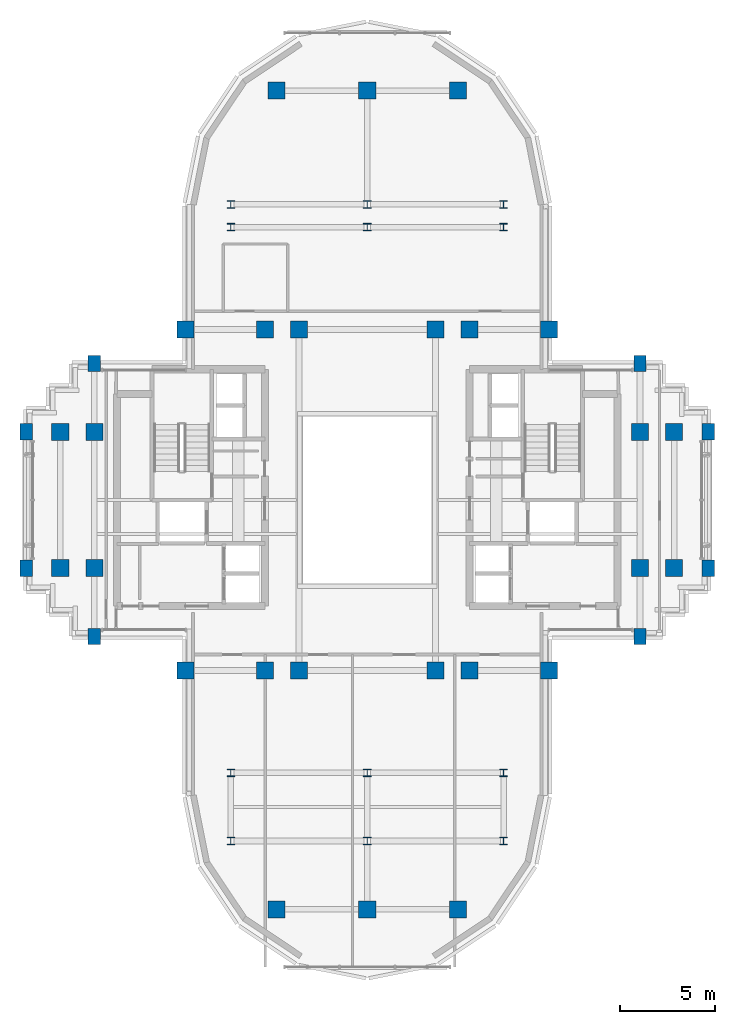
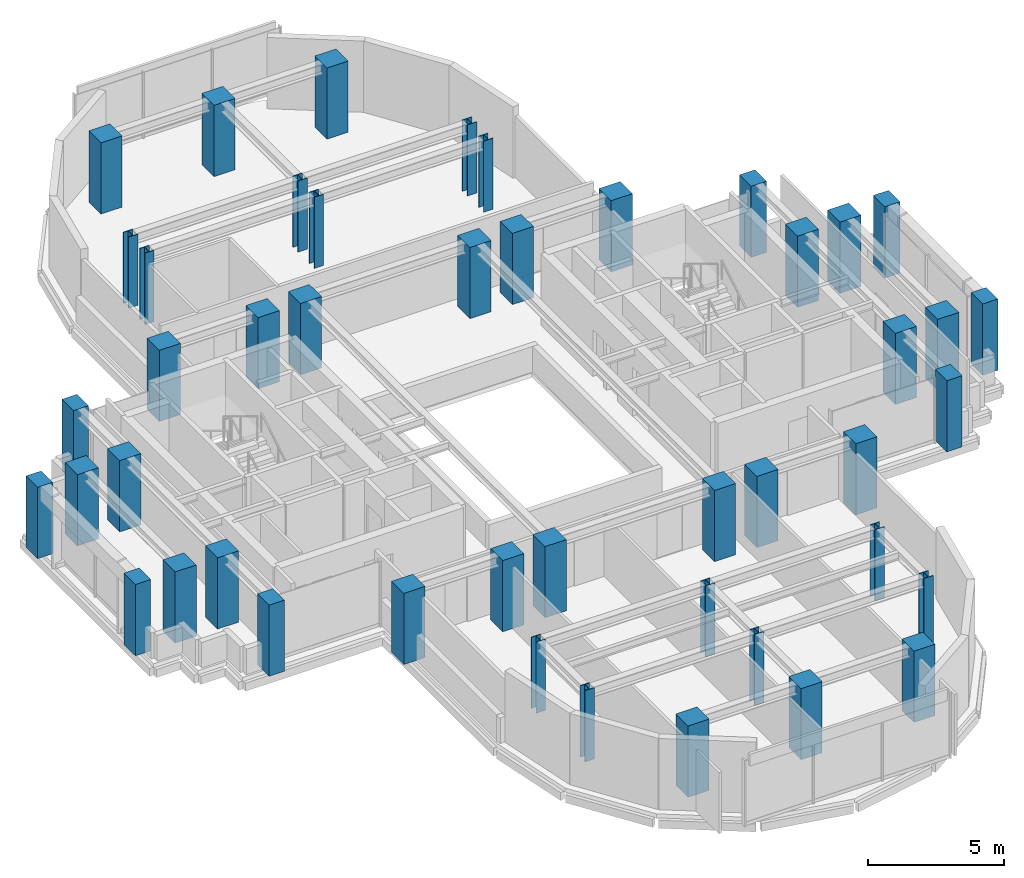
# One storey, part 1 of 11: 46 columns.
"""IFC4 building model written with IfcOpenShell, lengths in metres."""

import ifcopenshell
import ifcopenshell.guid

model = None  # the IFC model being written
_history = None  # IfcOwnerHistory: only IFC2X3 demands one
_inside = {}  # id of a spatial element -> (the spatial element, [elements in it])
_under = {}  # id of a project, library or spatial element -> (it, [spatial elements below it])
_declared = {}  # id of a project -> (the project, [libraries it declares])
_typed = {}  # id of a type object -> (the type object, [elements of that type])
_made_of = {}  # id of a material, layer set ... -> (it, [elements and type objects made of it])


def new_model(schema):
    """Start an empty IFC model of exactly this schema.

    Asked for "IFC4X3", IfcOpenShell would pick the latest addendum, in which some entities
    have other attributes; the version numbers below select the first issue.
    IFC2X3 requires an IfcOwnerHistory on every rooted entity: one is made here for all.
    """
    global model, _history
    if schema == "IFC4X3":
        model = ifcopenshell.file(schema_version=(4, 3, 0, 0))
    else:
        model = ifcopenshell.file(schema=schema)
    _inside.clear()
    _under.clear()
    _declared.clear()
    _typed.clear()
    _made_of.clear()
    _history = None
    if model.schema == "IFC2X3":
        org = make("IfcOrganization", Name="unknown")
        user = make(
            "IfcPersonAndOrganization",
            ThePerson=make("IfcPerson", FamilyName="unknown"),
            TheOrganization=org,
        )
        app = make(
            "IfcApplication",
            ApplicationDeveloper=org,
            Version="unknown",
            ApplicationFullName="unknown",
            ApplicationIdentifier="unknown",
        )
        _history = make(
            "IfcOwnerHistory",
            OwningUser=user,
            OwningApplication=app,
            ChangeAction="ADDED",
            CreationDate=0,
        )
    return model


def make(cls, **values):
    """One entity of the class cls with the attributes given. An attribute that is None is left unset."""
    return model.create_entity(
        cls, **{name: value for name, value in values.items() if value is not None}
    )


def rooted(cls, **values):
    """An entity with a GlobalId (a new one), such as an element, a storey or a relation."""
    return make(cls, GlobalId=ifcopenshell.guid.new(), OwnerHistory=_history, **values)


def si_unit(unit_type, name, prefix=None):
    """IfcSIUnit, for example si_unit("LENGTHUNIT", "METRE", prefix="MILLI")."""
    return make("IfcSIUnit", UnitType=unit_type, Prefix=prefix, Name=name)


def assignment(units):
    """IfcUnitAssignment: the units of a project."""
    return None if units is None else make("IfcUnitAssignment", Units=units)


def point(xyz):
    """IfcCartesianPoint."""
    return None if xyz is None else make("IfcCartesianPoint", Coordinates=xyz)


def direction(xyz):
    """IfcDirection."""
    return None if xyz is None else make("IfcDirection", DirectionRatios=xyz)


def frame(location, z_axis=None, x_axis=None):
    """IfcAxis2Placement3D, a coordinate frame: its origin and axes. An axis left out is left unset."""
    return make(
        "IfcAxis2Placement3D",
        Location=point(location),
        Axis=direction(z_axis),
        RefDirection=direction(x_axis),
    )


def frame_2d(location, x_axis=None):
    """IfcAxis2Placement2D, a coordinate frame in the plane: its origin and x axis."""
    return make(
        "IfcAxis2Placement2D", Location=point(location), RefDirection=direction(x_axis)
    )


def origin():
    """The frame at (0, 0, 0) with its axes left unset."""
    return frame((0.0, 0.0, 0.0))


def origin_2d():
    """The frame at (0, 0) in the plane with its x axis left unset."""
    return frame_2d((0.0, 0.0))


def place(relative_to, where):
    """IfcLocalPlacement: puts the frame where relative to a parent placement (None: the world)."""
    return make(
        "IfcLocalPlacement", PlacementRelTo=relative_to, RelativePlacement=where
    )


def context(
    kind, dimensions, precision=None, world=None, true_north=None, identifier=None
):
    """IfcGeometricRepresentationContext, for example the 3D "Model" context."""
    return make(
        "IfcGeometricRepresentationContext",
        ContextIdentifier=identifier,
        ContextType=kind,
        CoordinateSpaceDimension=dimensions,
        Precision=precision,
        WorldCoordinateSystem=world,
        TrueNorth=true_north,
    )


def subcontext(parent, identifier, kind, view, scale=None):
    """IfcGeometricRepresentationSubContext, for example "Body" below "Model"."""
    return make(
        "IfcGeometricRepresentationSubContext",
        ContextIdentifier=identifier,
        ContextType=kind,
        ParentContext=parent,
        TargetScale=scale,
        TargetView=view,
    )


def project(units=None, contexts=None):
    """IfcProject with its units and contexts."""
    return rooted(
        "IfcProject",
        Name="project",
        RepresentationContexts=contexts,
        UnitsInContext=assignment(units),
    )


def spatial(cls, under=None, at=None, **own):
    """A site, building, storey or space (cls), placed at a placement, below another one or the project."""
    s = rooted(cls, ObjectPlacement=at, **own)
    if under is not None:
        _under.setdefault(under.id(), (under, []))[1].append(s)
    return s


def profile(cls, at=None, kind="AREA", **sizes):
    """A parametric profile (cls). Its sizes go by their IFC names, for example OverallWidth=200.0."""
    return make(cls, ProfileType=kind, Position=at, **sizes)


def rectangle(**sizes):
    """IfcRectangleProfileDef."""
    return profile("IfcRectangleProfileDef", **sizes)


def i_section(**sizes):
    """IfcIShapeProfileDef."""
    return profile("IfcIShapeProfileDef", **sizes)


def extrude(swept, where, along, depth):
    """IfcExtrudedAreaSolid: the profile swept, set in the frame where, extruded along a direction by depth."""
    return make(
        "IfcExtrudedAreaSolid",
        SweptArea=swept,
        Position=where,
        ExtrudedDirection=direction(along),
        Depth=depth,
    )


def shape(context_of_items, identifier, shape_type, items):
    """IfcShapeRepresentation: the items that make up one representation, for example the "Body"."""
    return make(
        "IfcShapeRepresentation",
        ContextOfItems=context_of_items,
        RepresentationIdentifier=identifier,
        RepresentationType=shape_type,
        Items=items,
    )


def source(mapping_origin, context_of_items, identifier, shape_type, items):
    """IfcRepresentationMap: a shape defined once, which mapped items show again and again."""
    return make(
        "IfcRepresentationMap",
        MappingOrigin=mapping_origin,
        MappedRepresentation=shape(context_of_items, identifier, shape_type, items),
    )


def transform(
    local_origin,
    x_axis=None,
    y_axis=None,
    z_axis=None,
    scale=None,
    scale2=None,
    scale3=None,
    uniform=True,
):
    """IfcCartesianTransformationOperator3D, or its non-uniform kind. x_axis, y_axis, z_axis: its Axis1, 2, 3."""
    if uniform:
        return make(
            "IfcCartesianTransformationOperator3D",
            Axis1=direction(x_axis),
            Axis2=direction(y_axis),
            LocalOrigin=point(local_origin),
            Scale=scale,
            Axis3=direction(z_axis),
        )
    return make(
        "IfcCartesianTransformationOperator3DnonUniform",
        Axis1=direction(x_axis),
        Axis2=direction(y_axis),
        LocalOrigin=point(local_origin),
        Scale=scale,
        Axis3=direction(z_axis),
        Scale2=scale2,
        Scale3=scale3,
    )


def mapped(mapping_source, mapping_target):
    """IfcMappedItem: shows the shape of a source again, moved by a transform."""
    return make(
        "IfcMappedItem", MappingSource=mapping_source, MappingTarget=mapping_target
    )


def material(Name=None, Category=None):
    """IfcMaterial."""
    return make("IfcMaterial", Name=Name, Category=Category)


def material_profile(
    of_material, cross_section, Name=None, Category=None, Priority=None
):
    """IfcMaterialProfile: a cross section and its material."""
    return make(
        "IfcMaterialProfile",
        Name=Name,
        Material=of_material,
        Profile=cross_section,
        Priority=Priority,
        Category=Category,
    )


def profile_set(profiles, Name=None, composite=None):
    """IfcMaterialProfileSet."""
    return make(
        "IfcMaterialProfileSet",
        Name=Name,
        MaterialProfiles=profiles,
        CompositeProfile=composite,
    )


def made_of(thing, what):
    """Note that an element or type object is made of a material, layer set ...; save() writes the relation."""
    if what is not None:
        _made_of.setdefault(what.id(), (what, []))[1].append(thing)
    return thing


def type_object(cls, material=None, **own):
    """A type object (cls), such as IfcWallType, which elements share."""
    return made_of(rooted(cls, **own), material)


def element(
    cls,
    number,
    at=None,
    inside=None,
    cuts=None,
    type_object=None,
    material=None,
    context=None,
    identifier="Body",
    shape_type=None,
    held_by="IfcProductDefinitionShape",
    body=None,
    shapes=None,
    **own,
):
    """One element of the class cls, such as IfcWall. Its Tag is "e" and its number.

    at: its placement. inside: the storey or other place that contains it. cuts: it is an
    opening in that element (IfcRelVoidsElement). A single representation is given by context,
    identifier, shape_type and body (its items); several are given by shapes. held_by: the class
    of the entity that holds the representations. save() writes the other relations.
    """
    e = rooted(cls, Tag="e%d" % number, ObjectPlacement=at, **own)
    if body is not None:
        shapes = [shape(context, identifier, shape_type, body)]
    if shapes is not None:
        e.Representation = make(held_by, Representations=shapes)
    if inside is not None:
        _inside.setdefault(inside.id(), (inside, []))[1].append(e)
    if cuts is not None:
        rooted(
            "IfcRelVoidsElement", RelatingBuildingElement=cuts, RelatedOpeningElement=e
        )
    if type_object is not None:
        _typed.setdefault(type_object.id(), (type_object, []))[1].append(e)
    return made_of(e, material)


def aggregate(whole, parts):
    """IfcRelAggregates: a whole, such as a stair, and the parts it consists of."""
    return rooted("IfcRelAggregates", RelatingObject=whole, RelatedObjects=parts)


def save(model, path):
    """Write the relations noted so far, then the file.

    IfcRelAggregates (storeys below a building ...), IfcRelContainedInSpatialStructure (elements
    in a storey), IfcRelDefinesByType, IfcRelAssociatesMaterial and IfcRelDeclares: one each for
    every whole, place, type object, material and project.
    """
    for whole, parts in _under.values():
        aggregate(whole, parts)
    for where, things in _inside.values():
        rooted(
            "IfcRelContainedInSpatialStructure",
            RelatedElements=things,
            RelatingStructure=where,
        )
    for kind, things in _typed.values():
        rooted("IfcRelDefinesByType", RelatedObjects=things, RelatingType=kind)
    for what, things in _made_of.values():
        rooted("IfcRelAssociatesMaterial", RelatedObjects=things, RelatingMaterial=what)
    for by, libraries in _declared.values():
        rooted("IfcRelDeclares", RelatingContext=by, RelatedDefinitions=libraries)
    model.write(path)


model = new_model("IFC4")

# Units and contexts
model_context = context("Model", 3, precision=1e-05, world=origin(), true_north=direction((0.0, 1.0)))
body_context = subcontext(model_context, "Body", "Model", "MODEL_VIEW")
ifc_project = project(units=[si_unit("LENGTHUNIT", "METRE"), si_unit("AREAUNIT", "SQUARE_METRE"), si_unit("VOLUMEUNIT", "CUBIC_METRE"), si_unit("PLANEANGLEUNIT", "RADIAN"), si_unit("MASSUNIT", "GRAM", prefix="KILO")], contexts=[model_context])

# Site, building, storey
site_placement = place(None, origin())
site = spatial("IfcSite", under=ifc_project, at=site_placement, CompositionType="ELEMENT")
building_placement = place(site_placement, origin())
building = spatial("IfcBuilding", under=site, at=building_placement, Name="Keilestroom Media Tower", CompositionType="ELEMENT")
storey_placement = place(building_placement, frame((0.0, 0.0, 163.800048828125)))
storey = spatial("IfcBuildingStorey", under=building, at=storey_placement, Name="L44", CompositionType="ELEMENT", Elevation=163.800048828125)

# Columns
ifc_material_1 = material(Name="Precast concrete C40/50", Category="concrete")
ifc_material_profile_1 = material_profile(ifc_material_1, rectangle(XDim=0.64990234375, YDim=0.85009765625, at=origin_2d()), Name="PC 850x650")
ifc_profile_set_1 = profile_set([ifc_material_profile_1], Name="Precast concrete C40/50")
column_type_1 = type_object("IfcColumnType", Name="Structural-Column-PC-850x650", PredefinedType="COLUMN", material=ifc_profile_set_1)
shared_shape_1 = source(origin(), body_context, "Body", "SweptSolid", [
    extrude(rectangle(XDim=0.64990234375, YDim=0.85009765625, at=origin_2d()), origin(), (0.0, 0.0, 1.0), 3.199951171875),
])
for number, where, z_axis, x_axis, name in (
    (1, (-18.0, -3.60009765625, 0.0), (0.0, 0.0, 1.0), (1.0, 0.0, 0.0), "L44 Column PC-2 (-18.0,-3.6)"),
    (2, (-18.0, 3.60009765625, 0.0), (0.0, 0.0, 1.0), (1.0, 0.0, 0.0), "L44 Column PC-2 (-18.0,+3.6)"),
    (3, (-14.39990234375, -7.199951171875, 0.0), (0.0, 0.0, 1.0), (1.0, 0.0, 0.0), "L44 Column PC-2 (-14.4,-7.2)"),
    (4, (-14.39990234375, 7.199951171875, 0.0), (0.0, 0.0, 1.0), (1.0, 0.0, 0.0), "L44 Column PC-2 (-14.4,+7.2)"),
    (5, (14.39990234375, -7.199951171875, 0.0), (0.0, 0.0, 1.0), (1.0, 0.0, 0.0), "L44 Column PC-2 (+14.4,-7.2)"),
    (6, (14.39990234375, 7.199951171875, 0.0), (0.0, 0.0, 1.0), (1.0, 0.0, 0.0), "L44 Column PC-2 (+14.4,+7.2)"),
    (7, (18.0, -3.60009765625, 0.0), (0.0, 0.0, 1.0), (1.0, 0.0, 0.0), "L44 Column PC-2 (+18.0,-3.6)"),
    (8, (18.0, 3.60009765625, 0.0), (0.0, 0.0, 1.0), (1.0, 0.0, 0.0), "L44 Column PC-2 (+18.0,+3.6)"),
):
    element("IfcColumn", number, at=place(storey_placement, frame(where, z_axis=z_axis, x_axis=x_axis)), inside=storey, type_object=column_type_1, Name=name, PredefinedType="COLUMN", context=body_context, shape_type="MappedRepresentation", body=[
        mapped(shared_shape_1, transform((0.0, 0.0, 0.0), x_axis=(1.0, 0.0, 0.0), y_axis=(0.0, 1.0, 0.0), z_axis=(0.0, 0.0, 1.0), scale=1.0)),
    ])
ifc_material_2 = material(Name="Concrete C55/67", Category="concrete")
ifc_material_profile_2 = material_profile(ifc_material_2, rectangle(XDim=0.89990234375, YDim=0.89990234375, at=origin_2d()), Name="RC 900x900")
ifc_profile_set_2 = profile_set([ifc_material_profile_2], Name="Concrete C55/67")
column_type_2 = type_object("IfcColumnType", Name="Structural-Column-RC-900x900", PredefinedType="COLUMN", material=ifc_profile_set_2)
shared_shape_2 = source(origin(), body_context, "Body", "SweptSolid", [
    extrude(rectangle(XDim=0.89990234375, YDim=0.89990234375, at=origin_2d()), origin(), (0.0, 0.0, 1.0), 3.199951171875),
])
for number, where, z_axis, x_axis, name in (
    (9, (-16.199951171875, -3.60009765625, 0.0), (0.0, 0.0, 1.0), (1.0, 0.0, 0.0), "L44 Column MC-4 (-16.2,-3.6)"),
    (10, (-16.199951171875, 3.60009765625, 0.0), (0.0, 0.0, 1.0), (1.0, 0.0, 0.0), "L44 Column MC-4 (-16.2,+3.6)"),
    (11, (-14.39990234375, -3.60009765625, 0.0), (0.0, 0.0, 1.0), (1.0, 0.0, 0.0), "L44 Column MC-4 (-14.4,-3.6)"),
    (12, (-14.39990234375, 3.60009765625, 0.0), (0.0, 0.0, 1.0), (1.0, 0.0, 0.0), "L44 Column MC-4 (-14.4,+3.6)"),
    (13, (-9.60009765625, -9.0, 0.0), (0.0, 0.0, 1.0), (1.0, 0.0, 0.0), "L44 Column MC-4 (-9.6,-9.0)"),
    (14, (-9.60009765625, 9.0, 0.0), (0.0, 0.0, 1.0), (1.0, 0.0, 0.0), "L44 Column MC-4 (-9.6,+9.0)"),
    (15, (-5.39990234375, -9.0, 0.0), (0.0, 0.0, 1.0), (1.0, 0.0, 0.0), "L44 Column MC-4 (-5.4,-9.0)"),
    (16, (-5.39990234375, 9.0, 0.0), (0.0, 0.0, 1.0), (1.0, 0.0, 0.0), "L44 Column MC-4 (-5.4,+9.0)"),
    (17, (-4.800048828125, -21.60009765625, 0.0), (0.0, 0.0, 1.0), (1.0, 0.0, 0.0), "L44 Column MC-4 (-4.8,-21.6)"),
    (18, (-4.800048828125, 21.60009765625, 0.0), (0.0, 0.0, 1.0), (1.0, 0.0, 0.0), "L44 Column MC-4 (-4.8,+21.6)"),
    (19, (-3.60009765625, -9.0, 0.0), (0.0, 0.0, 1.0), (1.0, 0.0, 0.0), "L44 Column MC-4 (-3.6,-9.0)"),
    (20, (-3.60009765625, 9.0, 0.0), (0.0, 0.0, 1.0), (1.0, 0.0, 0.0), "L44 Column MC-4 (-3.6,+9.0)"),
    (21, (0.0, -21.60009765625, 0.0), (0.0, 0.0, 1.0), (1.0, 0.0, 0.0), "L44 Column MC-4 (+0.0,-21.6)"),
    (22, (0.0, 21.60009765625, 0.0), (0.0, 0.0, 1.0), (1.0, 0.0, 0.0), "L44 Column MC-4 (+0.0,+21.6)"),
    (23, (3.60009765625, -9.0, 0.0), (0.0, 0.0, 1.0), (1.0, 0.0, 0.0), "L44 Column MC-4 (+3.6,-9.0)"),
    (24, (3.60009765625, 9.0, 0.0), (0.0, 0.0, 1.0), (1.0, 0.0, 0.0), "L44 Column MC-4 (+3.6,+9.0)"),
    (25, (4.800048828125, -21.60009765625, 0.0), (0.0, 0.0, 1.0), (1.0, 0.0, 0.0), "L44 Column MC-4 (+4.8,-21.6)"),
    (26, (4.800048828125, 21.60009765625, 0.0), (0.0, 0.0, 1.0), (1.0, 0.0, 0.0), "L44 Column MC-4 (+4.8,+21.6)"),
    (27, (5.39990234375, -9.0, 0.0), (0.0, 0.0, 1.0), (1.0, 0.0, 0.0), "L44 Column MC-4 (+5.4,-9.0)"),
    (28, (5.39990234375, 9.0, 0.0), (0.0, 0.0, 1.0), (1.0, 0.0, 0.0), "L44 Column MC-4 (+5.4,+9.0)"),
    (29, (9.60009765625, -9.0, 0.0), (0.0, 0.0, 1.0), (1.0, 0.0, 0.0), "L44 Column MC-4 (+9.6,-9.0)"),
    (30, (9.60009765625, 9.0, 0.0), (0.0, 0.0, 1.0), (1.0, 0.0, 0.0), "L44 Column MC-4 (+9.6,+9.0)"),
    (31, (14.39990234375, -3.60009765625, 0.0), (0.0, 0.0, 1.0), (1.0, 0.0, 0.0), "L44 Column MC-4 (+14.4,-3.6)"),
    (32, (14.39990234375, 3.60009765625, 0.0), (0.0, 0.0, 1.0), (1.0, 0.0, 0.0), "L44 Column MC-4 (+14.4,+3.6)"),
    (33, (16.199951171875, -3.60009765625, 0.0), (0.0, 0.0, 1.0), (1.0, 0.0, 0.0), "L44 Column MC-4 (+16.2,-3.6)"),
    (34, (16.199951171875, 3.60009765625, 0.0), (0.0, 0.0, 1.0), (1.0, 0.0, 0.0), "L44 Column MC-4 (+16.2,+3.6)"),
):
    element("IfcColumn", number, at=place(storey_placement, frame(where, z_axis=z_axis, x_axis=x_axis)), inside=storey, type_object=column_type_2, Name=name, PredefinedType="COLUMN", context=body_context, shape_type="MappedRepresentation", body=[
        mapped(shared_shape_2, transform((0.0, 0.0, 0.0), x_axis=(1.0, 0.0, 0.0), y_axis=(0.0, 1.0, 0.0), z_axis=(0.0, 0.0, 1.0), scale=1.0)),
    ])
ifc_material_3 = material(Name="Steel S355", Category="steel")
ifc_material_profile_3 = material_profile(ifc_material_3, i_section(OverallWidth=0.39794921875, OverallDepth=0.386962890625, WebThickness=0.017578125, FlangeThickness=0.028076171875, at=origin_2d()), Name="HD 400x262")
ifc_profile_set_3 = profile_set([ifc_material_profile_3], Name="Steel S355")
column_type_3 = type_object("IfcColumnType", Name="Structural-Column-HD-400x262", PredefinedType="COLUMN", material=ifc_profile_set_3)
shared_shape_3 = source(origin(), body_context, "Body", "SweptSolid", [
    extrude(i_section(OverallWidth=0.39794921875, OverallDepth=0.386962890625, WebThickness=0.017578125, FlangeThickness=0.028076171875, at=origin_2d()), origin(), (0.0, 0.0, 1.0), 3.199951171875),
])
for number, where, z_axis, x_axis, name in (
    (35, (-7.199951171875, -18.0, 0.0), (0.0, 0.0, 1.0), (1.0, 0.0, 0.0), "L44 Column SC-4 (-7.2,-18.0)"),
    (36, (-7.199951171875, -14.39990234375, 0.0), (0.0, 0.0, 1.0), (1.0, 0.0, 0.0), "L44 Column SC-4 (-7.2,-14.4)"),
    (37, (-7.199951171875, 14.39990234375, 0.0), (0.0, 0.0, 1.0), (1.0, 0.0, 0.0), "L44 Column SC-4 (-7.2,+14.4)"),
    (38, (-7.199951171875, 15.60009765625, 0.0), (0.0, 0.0, 1.0), (1.0, 0.0, 0.0), "L44 Column SC-4 (-7.2,+15.6)"),
    (39, (0.0, -18.0, 0.0), (0.0, 0.0, 1.0), (1.0, 0.0, 0.0), "L44 Column SC-4 (+0.0,-18.0)"),
    (40, (0.0, -14.39990234375, 0.0), (0.0, 0.0, 1.0), (1.0, 0.0, 0.0), "L44 Column SC-4 (+0.0,-14.4)"),
    (41, (0.0, 14.39990234375, 0.0), (0.0, 0.0, 1.0), (1.0, 0.0, 0.0), "L44 Column SC-4 (+0.0,+14.4)"),
    (42, (0.0, 15.60009765625, 0.0), (0.0, 0.0, 1.0), (1.0, 0.0, 0.0), "L44 Column SC-4 (+0.0,+15.6)"),
    (43, (7.199951171875, -18.0, 0.0), (0.0, 0.0, 1.0), (1.0, 0.0, 0.0), "L44 Column SC-4 (+7.2,-18.0)"),
    (44, (7.199951171875, -14.39990234375, 0.0), (0.0, 0.0, 1.0), (1.0, 0.0, 0.0), "L44 Column SC-4 (+7.2,-14.4)"),
    (45, (7.199951171875, 14.39990234375, 0.0), (0.0, 0.0, 1.0), (1.0, 0.0, 0.0), "L44 Column SC-4 (+7.2,+14.4)"),
    (46, (7.199951171875, 15.60009765625, 0.0), (0.0, 0.0, 1.0), (1.0, 0.0, 0.0), "L44 Column SC-4 (+7.2,+15.6)"),
):
    element("IfcColumn", number, at=place(storey_placement, frame(where, z_axis=z_axis, x_axis=x_axis)), inside=storey, type_object=column_type_3, Name=name, PredefinedType="COLUMN", context=body_context, shape_type="MappedRepresentation", body=[
        mapped(shared_shape_3, transform((0.0, 0.0, 0.0), x_axis=(1.0, 0.0, 0.0), y_axis=(0.0, 1.0, 0.0), z_axis=(0.0, 0.0, 1.0), scale=1.0)),
    ])

save(model, "model.ifc")
